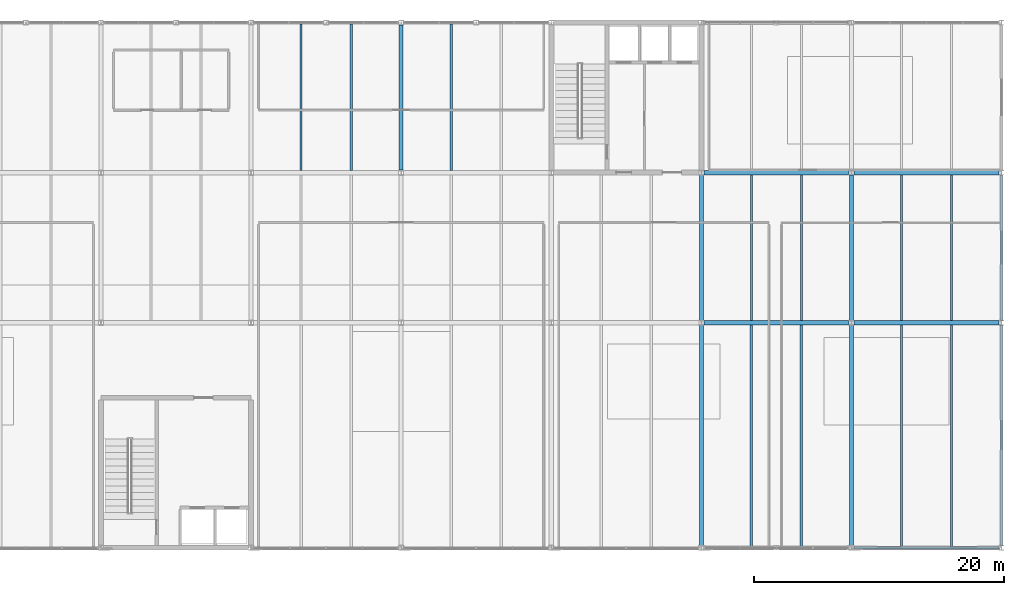
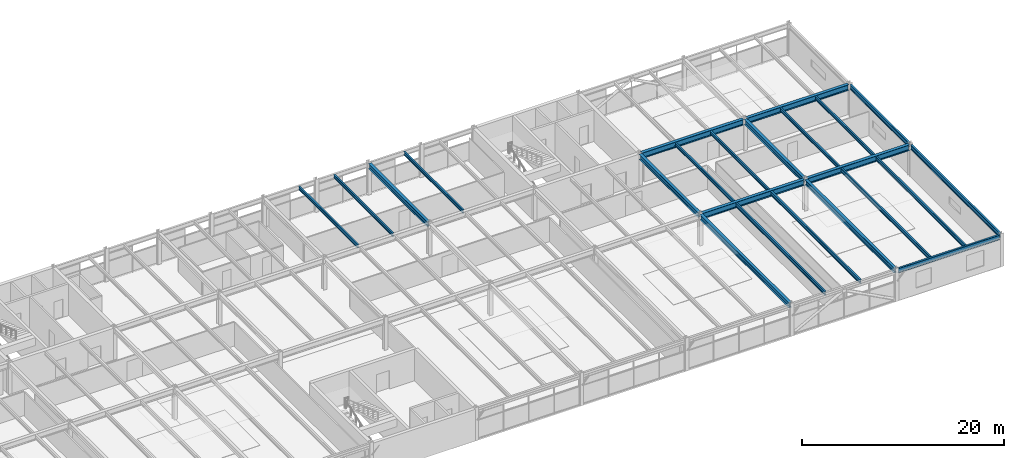
# One storey, part 34 of 51: 23 beams.
"""IFC4 building model written with IfcOpenShell, lengths in metres."""

from ifc_helpers import new_model, si_unit, direction, frame, origin, origin_2d, place, context, subcontext, project, spatial, i_section, extrude, material, material_profile, profile_set, type_object, element, save


model = new_model("IFC4")

# Units and contexts
model_context = context("Model", 3, precision=1e-05, world=origin(), true_north=direction((0.0, 1.0)))
body_context = subcontext(model_context, "Body", "Model", "MODEL_VIEW")
ifc_project = project(units=[si_unit("LENGTHUNIT", "METRE"), si_unit("AREAUNIT", "SQUARE_METRE"), si_unit("VOLUMEUNIT", "CUBIC_METRE"), si_unit("PLANEANGLEUNIT", "RADIAN"), si_unit("MASSUNIT", "GRAM", prefix="KILO")], contexts=[model_context])

# Site, building, storey
site_placement = place(None, origin())
site = spatial("IfcSite", under=ifc_project, at=site_placement, CompositionType="ELEMENT")
building_placement = place(site_placement, origin())
building = spatial("IfcBuilding", under=site, at=building_placement, Name="Girod Span Mobility Hub", CompositionType="ELEMENT")
storey_placement = place(building_placement, frame((0.0, 0.0, 41.60009765625)))
storey = spatial("IfcBuildingStorey", under=building, at=storey_placement, Name="L10", CompositionType="ELEMENT", Elevation=41.60009765625)

# Beams
ifc_material_1 = material(Name="Steel A992 Grade 50", Category="steel")
ifc_material_profile_1 = material_profile(ifc_material_1, i_section(OverallWidth=0.178955078125, OverallDepth=0.409912109375, WebThickness=0.0087890625, FlangeThickness=0.014404296875, FilletRadius=0.012939453125, at=origin_2d()), Name="W16X45")
ifc_profile_set_1 = profile_set([ifc_material_profile_1], Name="Steel A992 Grade 50")
beam_type_1 = type_object("IfcBeamType", Name="BM-STL-W16X45", PredefinedType="BEAM", material=ifc_profile_set_1)
for number, where, z_axis, x_axis, name in (
    (1, (88.0, 57.174560546875, 3.619873046875), (0.0, 1.0, 0.0), (-1.0, 0.0, 0.0), "Composite Floorbeam 8/E-1 L10"),
    (2, (92.0, 57.174560546875, 3.619873046875), (0.0, 1.0, 0.0), (-1.0, 0.0, 0.0), "Composite Floorbeam 8/E-2 L10"),
    (3, (100.0, 57.174560546875, 3.619873046875), (0.0, 1.0, 0.0), (-1.0, 0.0, 0.0), "Composite Floorbeam 9/E-1 L10"),
):
    element("IfcBeam", number, at=place(storey_placement, frame(where, z_axis=z_axis, x_axis=x_axis)), inside=storey, type_object=beam_type_1, Name=name, PredefinedType="BEAM", context=body_context, shape_type="SweptSolid", body=[
        extrude(i_section(OverallWidth=0.178955078125, OverallDepth=0.409912109375, WebThickness=0.0087890625, FlangeThickness=0.014404296875, FilletRadius=0.012939453125, at=origin_2d()), origin(), (0.0, 0.0, 1.0), 11.722412109375),
    ])
for number, where, z_axis, x_axis, name in (
    (4, (124.0, 45.174560546875, 3.619873046875), (0.0, 1.0, 0.0), (-1.0, 0.0, 0.0), "Composite Floorbeam 11/D-1 L10"),
    (5, (128.0, 45.174560546875, 3.619873046875), (0.0, 1.0, 0.0), (-1.0, 0.0, 0.0), "Composite Floorbeam 11/D-2 L10"),
    (6, (136.0, 45.174560546875, 3.619873046875), (0.0, 1.0, 0.0), (-1.0, 0.0, 0.0), "Composite Floorbeam 12/D-1 L10"),
    (7, (140.0, 45.174560546875, 3.619873046875), (0.0, 1.0, 0.0), (-1.0, 0.0, 0.0), "Composite Floorbeam 12/D-2 L10"),
):
    element("IfcBeam", number, at=place(storey_placement, frame(where, z_axis=z_axis, x_axis=x_axis)), inside=storey, type_object=beam_type_1, Name=name, PredefinedType="BEAM", context=body_context, shape_type="SweptSolid", body=[
        extrude(i_section(OverallWidth=0.178955078125, OverallDepth=0.409912109375, WebThickness=0.0087890625, FlangeThickness=0.014404296875, FilletRadius=0.012939453125, at=origin_2d()), origin(), (0.0, 0.0, 1.0), 11.65087890625),
    ])
ifc_material_2 = material(Name="Steel A992 Grade 50", Category="steel")
ifc_material_profile_2 = material_profile(ifc_material_2, i_section(OverallWidth=0.19189453125, OverallDepth=0.462890625, WebThickness=0.010498046875, FlangeThickness=0.017578125, FilletRadius=0.013916015625, at=origin_2d()), Name="W18X60")
ifc_profile_set_2 = profile_set([ifc_material_profile_2], Name="Steel A992 Grade 50")
beam_type_2 = type_object("IfcBeamType", Name="BM-STL-W18X60", PredefinedType="BEAM", material=ifc_profile_set_2)
for number, where, z_axis, x_axis, name in (
    (8, (124.0, 27.10302734375, 3.593505859375), (0.0, 1.0, 0.0), (-1.0, 0.0, 0.0), "Composite Floorbeam 11/C-1 L10"),
    (9, (128.0, 27.10302734375, 3.593505859375), (0.0, 1.0, 0.0), (-1.0, 0.0, 0.0), "Composite Floorbeam 11/C-2 L10"),
    (10, (136.0, 27.10302734375, 3.593505859375), (0.0, 1.0, 0.0), (-1.0, 0.0, 0.0), "Composite Floorbeam 12/C-1 L10"),
    (11, (140.0, 27.10302734375, 3.593505859375), (0.0, 1.0, 0.0), (-1.0, 0.0, 0.0), "Composite Floorbeam 12/C-2 L10"),
):
    element("IfcBeam", number, at=place(storey_placement, frame(where, z_axis=z_axis, x_axis=x_axis)), inside=storey, type_object=beam_type_2, Name=name, PredefinedType="BEAM", context=body_context, shape_type="SweptSolid", body=[
        extrude(i_section(OverallWidth=0.19189453125, OverallDepth=0.462890625, WebThickness=0.010498046875, FlangeThickness=0.017578125, FilletRadius=0.013916015625, at=origin_2d()), origin(), (0.0, 0.0, 1.0), 17.722412109375),
    ])
ifc_material_3 = material(Name="Steel A992 Grade 50", Category="steel")
ifc_material_profile_3 = material_profile(ifc_material_3, i_section(OverallWidth=0.2119140625, OverallDepth=0.5439453125, WebThickness=0.01318359375, FlangeThickness=0.021240234375, FilletRadius=0.014892578125, at=origin_2d()), Name="W21X83")
ifc_profile_set_3 = profile_set([ifc_material_profile_3], Name="Steel A992 Grade 50")
beam_type_3 = type_object("IfcBeamType", Name="BM-STL-W21X83", PredefinedType="SPANDREL", material=ifc_profile_set_3)
beam_1_placement = place(storey_placement, frame((132.194091796875, 27.0, 3.552978515625), z_axis=(1.0, 0.0, 0.0), x_axis=(0.0, 1.0, 0.0)))
element("IfcBeam", 12, at=beam_1_placement, inside=storey, type_object=beam_type_3, Name="Girder 12-13/C L10", PredefinedType="SPANDREL", context=body_context, shape_type="SweptSolid", body=[
    extrude(i_section(OverallWidth=0.2119140625, OverallDepth=0.5439453125, WebThickness=0.01318359375, FlangeThickness=0.021240234375, FilletRadius=0.014892578125, at=origin_2d()), origin(), (0.0, 0.0, 1.0), 11.61181640625),
])
beam_2_placement = place(storey_placement, frame((144.0, 27.1845703125, 3.552978515625), z_axis=(0.0, 1.0, 0.0), x_axis=(-1.0, 0.0, 0.0)))
element("IfcBeam", 13, at=beam_2_placement, inside=storey, type_object=beam_type_3, Name="Tie Girder 13/C-D L10", PredefinedType="SPANDREL", context=body_context, shape_type="SweptSolid", body=[
    extrude(i_section(OverallWidth=0.2119140625, OverallDepth=0.5439453125, WebThickness=0.01318359375, FlangeThickness=0.021240234375, FilletRadius=0.014892578125, at=origin_2d()), origin(), (0.0, 0.0, 1.0), 17.630859375),
])
beam_3_placement = place(storey_placement, frame((144.0, 45.1845703125, 3.552978515625), z_axis=(0.0, 1.0, 0.0), x_axis=(-1.0, 0.0, 0.0)))
element("IfcBeam", 14, at=beam_3_placement, inside=storey, type_object=beam_type_3, Name="Tie Girder 13/D-E L10", PredefinedType="SPANDREL", context=body_context, shape_type="SweptSolid", body=[
    extrude(i_section(OverallWidth=0.2119140625, OverallDepth=0.5439453125, WebThickness=0.01318359375, FlangeThickness=0.021240234375, FilletRadius=0.014892578125, at=origin_2d()), origin(), (0.0, 0.0, 1.0), 11.630859375),
])
ifc_material_4 = material(Name="Steel A992 Grade 50", Category="steel")
ifc_material_profile_4 = material_profile(ifc_material_4, i_section(OverallWidth=0.323974609375, OverallDepth=0.611083984375, WebThickness=0.0126953125, FlangeThickness=0.01904296875, FilletRadius=0.014892578125, at=origin_2d()), Name="W24X104")
ifc_profile_set_4 = profile_set([ifc_material_profile_4], Name="Steel A992 Grade 50")
beam_type_4 = type_object("IfcBeamType", Name="BM-STL-W24X104", PredefinedType="BEAM", material=ifc_profile_set_4)
beam_4_placement = place(storey_placement, frame((96.0, 57.193603515625, 3.519287109375), z_axis=(0.0, 1.0, 0.0), x_axis=(-1.0, 0.0, 0.0)))
element("IfcBeam", 15, at=beam_4_placement, inside=storey, type_object=beam_type_4, Name="Tie Girder 9/E-F L10", PredefinedType="BEAM", context=body_context, shape_type="SweptSolid", body=[
    extrude(i_section(OverallWidth=0.323974609375, OverallDepth=0.611083984375, WebThickness=0.0126953125, FlangeThickness=0.01904296875, FilletRadius=0.014892578125, at=origin_2d()), origin(), (0.0, 0.0, 1.0), 11.61279296875),
])
beam_5_placement = place(storey_placement, frame((120.0, 27.1845703125, 3.519287109375), z_axis=(0.0, 1.0, 0.0), x_axis=(-1.0, 0.0, 0.0)))
element("IfcBeam", 16, at=beam_5_placement, inside=storey, type_object=beam_type_4, Name="Tie Girder 11/C-D L10", PredefinedType="BEAM", context=body_context, shape_type="SweptSolid", body=[
    extrude(i_section(OverallWidth=0.323974609375, OverallDepth=0.611083984375, WebThickness=0.0126953125, FlangeThickness=0.01904296875, FilletRadius=0.014892578125, at=origin_2d()), origin(), (0.0, 0.0, 1.0), 17.621826171875),
])
beam_6_placement = place(storey_placement, frame((120.0, 45.193603515625, 3.519287109375), z_axis=(0.0, 1.0, 0.0), x_axis=(-1.0, 0.0, 0.0)))
element("IfcBeam", 17, at=beam_6_placement, inside=storey, type_object=beam_type_4, Name="Tie Girder 11/D-E L10", PredefinedType="BEAM", context=body_context, shape_type="SweptSolid", body=[
    extrude(i_section(OverallWidth=0.323974609375, OverallDepth=0.611083984375, WebThickness=0.0126953125, FlangeThickness=0.01904296875, FilletRadius=0.014892578125, at=origin_2d()), origin(), (0.0, 0.0, 1.0), 11.61279296875),
])
beam_7_placement = place(storey_placement, frame((132.0, 27.1845703125, 3.519287109375), z_axis=(0.0, 1.0, 0.0), x_axis=(-1.0, 0.0, 0.0)))
element("IfcBeam", 18, at=beam_7_placement, inside=storey, type_object=beam_type_4, Name="Tie Girder 12/C-D L10", PredefinedType="BEAM", context=body_context, shape_type="SweptSolid", body=[
    extrude(i_section(OverallWidth=0.323974609375, OverallDepth=0.611083984375, WebThickness=0.0126953125, FlangeThickness=0.01904296875, FilletRadius=0.014892578125, at=origin_2d()), origin(), (0.0, 0.0, 1.0), 17.630859375),
])
beam_8_placement = place(storey_placement, frame((132.0, 45.1845703125, 3.519287109375), z_axis=(0.0, 1.0, 0.0), x_axis=(-1.0, 0.0, 0.0)))
element("IfcBeam", 19, at=beam_8_placement, inside=storey, type_object=beam_type_4, Name="Tie Girder 12/D-E L10", PredefinedType="BEAM", context=body_context, shape_type="SweptSolid", body=[
    extrude(i_section(OverallWidth=0.323974609375, OverallDepth=0.611083984375, WebThickness=0.0126953125, FlangeThickness=0.01904296875, FilletRadius=0.014892578125, at=origin_2d()), origin(), (0.0, 0.0, 1.0), 11.630859375),
])
ifc_material_5 = material(Name="Steel A992 Grade 50", Category="steel")
ifc_material_profile_5 = material_profile(ifc_material_5, i_section(OverallWidth=0.35498046875, OverallDepth=0.695068359375, WebThickness=0.015380859375, FlangeThickness=0.02490234375, FilletRadius=0.01806640625, at=origin_2d()), Name="W27X146")
ifc_profile_set_5 = profile_set([ifc_material_profile_5], Name="Steel A992 Grade 50")
beam_type_5 = type_object("IfcBeamType", Name="BM-STL-W27X146", PredefinedType="BEAM", material=ifc_profile_set_5)
beam_9_placement = place(storey_placement, frame((120.196533203125, 45.0, 3.477294921875), z_axis=(1.0, 0.0, 0.0), x_axis=(0.0, 1.0, 0.0)))
element("IfcBeam", 20, at=beam_9_placement, inside=storey, type_object=beam_type_5, Name="Girder 11-12/D L10", PredefinedType="BEAM", context=body_context, shape_type="SweptSolid", body=[
    extrude(i_section(OverallWidth=0.35498046875, OverallDepth=0.695068359375, WebThickness=0.015380859375, FlangeThickness=0.02490234375, FilletRadius=0.01806640625, at=origin_2d()), origin(), (0.0, 0.0, 1.0), 11.609375),
])
beam_10_placement = place(storey_placement, frame((132.194091796875, 45.0, 3.477294921875), z_axis=(1.0, 0.0, 0.0), x_axis=(0.0, 1.0, 0.0)))
element("IfcBeam", 21, at=beam_10_placement, inside=storey, type_object=beam_type_5, Name="Girder 12-13/D L10", PredefinedType="BEAM", context=body_context, shape_type="SweptSolid", body=[
    extrude(i_section(OverallWidth=0.35498046875, OverallDepth=0.695068359375, WebThickness=0.015380859375, FlangeThickness=0.02490234375, FilletRadius=0.01806640625, at=origin_2d()), origin(), (0.0, 0.0, 1.0), 11.61181640625),
])
beam_11_placement = place(storey_placement, frame((120.196533203125, 57.0, 3.477294921875), z_axis=(1.0, 0.0, 0.0), x_axis=(0.0, 1.0, 0.0)))
element("IfcBeam", 22, at=beam_11_placement, inside=storey, type_object=beam_type_5, Name="Girder 11-12/E L10", PredefinedType="BEAM", context=body_context, shape_type="SweptSolid", body=[
    extrude(i_section(OverallWidth=0.35498046875, OverallDepth=0.695068359375, WebThickness=0.015380859375, FlangeThickness=0.02490234375, FilletRadius=0.01806640625, at=origin_2d()), origin(), (0.0, 0.0, 1.0), 11.609375),
])
beam_12_placement = place(storey_placement, frame((132.194091796875, 57.0, 3.477294921875), z_axis=(1.0, 0.0, 0.0), x_axis=(0.0, 1.0, 0.0)))
element("IfcBeam", 23, at=beam_12_placement, inside=storey, type_object=beam_type_5, Name="Girder 12-13/E L10", PredefinedType="BEAM", context=body_context, shape_type="SweptSolid", body=[
    extrude(i_section(OverallWidth=0.35498046875, OverallDepth=0.695068359375, WebThickness=0.015380859375, FlangeThickness=0.02490234375, FilletRadius=0.01806640625, at=origin_2d()), origin(), (0.0, 0.0, 1.0), 11.61181640625),
])

save(model, "model.ifc")
